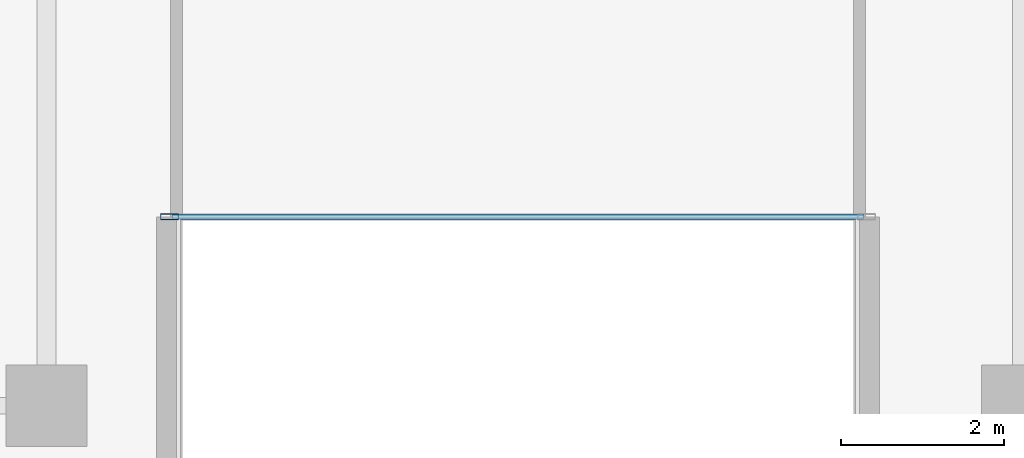
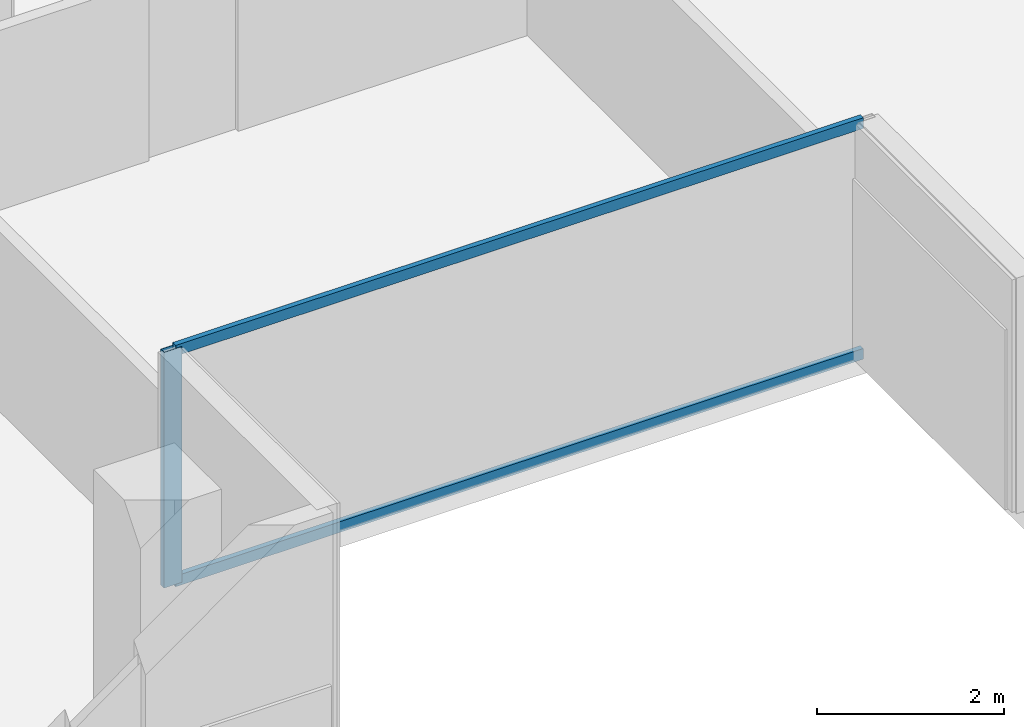
# One storey, part 2 of 23: 3 members, 1 element without a shape of its own.
"""IFC4 building model written with IfcOpenShell, lengths in metres."""

from ifc_helpers import new_model, si_unit, direction, frame, origin, origin_2d, place, context, subcontext, project, spatial, hollow_rectangle, extrude, material, layer, layer_set, material_profile, profile_set, type_object, element, aggregate, save


model = new_model("IFC4")

# Units and contexts
model_context = context("Model", 3, precision=1e-05, world=origin(), true_north=direction((0.0, 1.0)))
body_context = subcontext(model_context, "Body", "Model", "MODEL_VIEW")
ifc_project = project(units=[si_unit("LENGTHUNIT", "METRE"), si_unit("AREAUNIT", "SQUARE_METRE"), si_unit("VOLUMEUNIT", "CUBIC_METRE"), si_unit("PLANEANGLEUNIT", "RADIAN"), si_unit("MASSUNIT", "GRAM", prefix="KILO")], contexts=[model_context])

# Site, building, storey
site_placement = place(None, origin())
site = spatial("IfcSite", under=ifc_project, at=site_placement, CompositionType="ELEMENT")
building_placement = place(site_placement, origin())
building = spatial("IfcBuilding", under=site, at=building_placement, Name="Tanjung Sevakor Pilgrim Tower", CompositionType="ELEMENT")
storey_placement = place(building_placement, frame((0.0, 0.0, 98.669921875)))
storey = spatial("IfcBuildingStorey", under=building, at=storey_placement, Name="L27", CompositionType="ELEMENT", Elevation=98.669921875)

# Curtain wall, members
ifc_material_1 = material(Name="Aluminium 6063-T6 and Low-E Glass", Category="aluminium")
ifc_layer = layer(ifc_material_1, 0.179931640625)
ifc_layer_set = layer_set([ifc_layer], Name="CW-SYS-CLEFT")
curtain_wall_type = type_object("IfcCurtainWallType", Name="CW-SYS-CLEFT", PredefinedType="NOTDEFINED", material=ifc_layer_set)
curtain_wall_placement = place(storey_placement, origin())
curtain_wall = element("IfcCurtainWall", 1, at=curtain_wall_placement, inside=storey, type_object=curtain_wall_type, Name="L27 Curtain Wall CW-CLF-L27-2", PredefinedType="NOTDEFINED")
ifc_material_2 = material(Name="Aluminium 6063-T6", Category="aluminium")
ifc_material_profile_1 = material_profile(ifc_material_2, hollow_rectangle(XDim=0.074951171875, YDim=0.219970703125, WallThickness=0.0048828125, at=origin_2d()))
ifc_profile_set_1 = profile_set([ifc_material_profile_1], Name="Aluminium 6063-T6")
member_type_1 = type_object("IfcMemberType", Name="TYPE-CWM-2", PredefinedType="MULLION", material=ifc_profile_set_1)
member_1_placement = place(storey_placement, frame((43.512451171875, 13.125, 0.0), z_axis=(0.0, 0.0, 1.0), x_axis=(0.0, 1.0, 0.0)))
member_1 = element("IfcMember", 2, at=member_1_placement, type_object=member_type_1, Name="CW-CLF mullion 1", PredefinedType="MULLION", context=body_context, shape_type="SweptSolid", body=[
    extrude(hollow_rectangle(XDim=0.074951171875, YDim=0.219970703125, WallThickness=0.0048828125, at=origin_2d()), origin(), (0.0, 0.0, 1.0), 3.080078125),
])
ifc_material_3 = material(Name="Aluminium 6063-T6", Category="aluminium")
ifc_material_profile_2 = material_profile(ifc_material_3, hollow_rectangle(XDim=0.06494140625, YDim=0.139892578125, WallThickness=0.00390625, at=origin_2d()))
ifc_profile_set_2 = profile_set([ifc_material_profile_2], Name="Aluminium 6063-T6")
member_type_2 = type_object("IfcMemberType", Name="TYPE-CWT-1", PredefinedType="USERDEFINED", material=ifc_profile_set_2)
member_2_placement = place(storey_placement, frame((43.550048828125, 13.125, 0.032470703125), z_axis=(1.0, 0.0, 0.0), x_axis=(0.0, 1.0, 0.0)))
member_2 = element("IfcMember", 3, at=member_2_placement, type_object=member_type_2, Name="CW-CLF transom 1.1", ObjectType="TRANSOM", PredefinedType="USERDEFINED", context=body_context, shape_type="SweptSolid", body=[
    extrude(hollow_rectangle(XDim=0.06494140625, YDim=0.139892578125, WallThickness=0.00390625, at=origin_2d()), origin(), (0.0, 0.0, 1.0), 8.5),
])
member_3_placement = place(storey_placement, frame((43.550048828125, 13.125, 3.047607421875), z_axis=(1.0, 0.0, 0.0), x_axis=(0.0, 1.0, 0.0)))
member_3 = element("IfcMember", 4, at=member_3_placement, type_object=member_type_2, Name="CW-CLF transom 1.2", ObjectType="TRANSOM", PredefinedType="USERDEFINED", context=body_context, shape_type="SweptSolid", body=[
    extrude(hollow_rectangle(XDim=0.06494140625, YDim=0.139892578125, WallThickness=0.00390625, at=origin_2d()), origin(), (0.0, 0.0, 1.0), 8.5),
])
aggregate(curtain_wall, [member_1, member_2, member_3])

save(model, "model.ifc")
